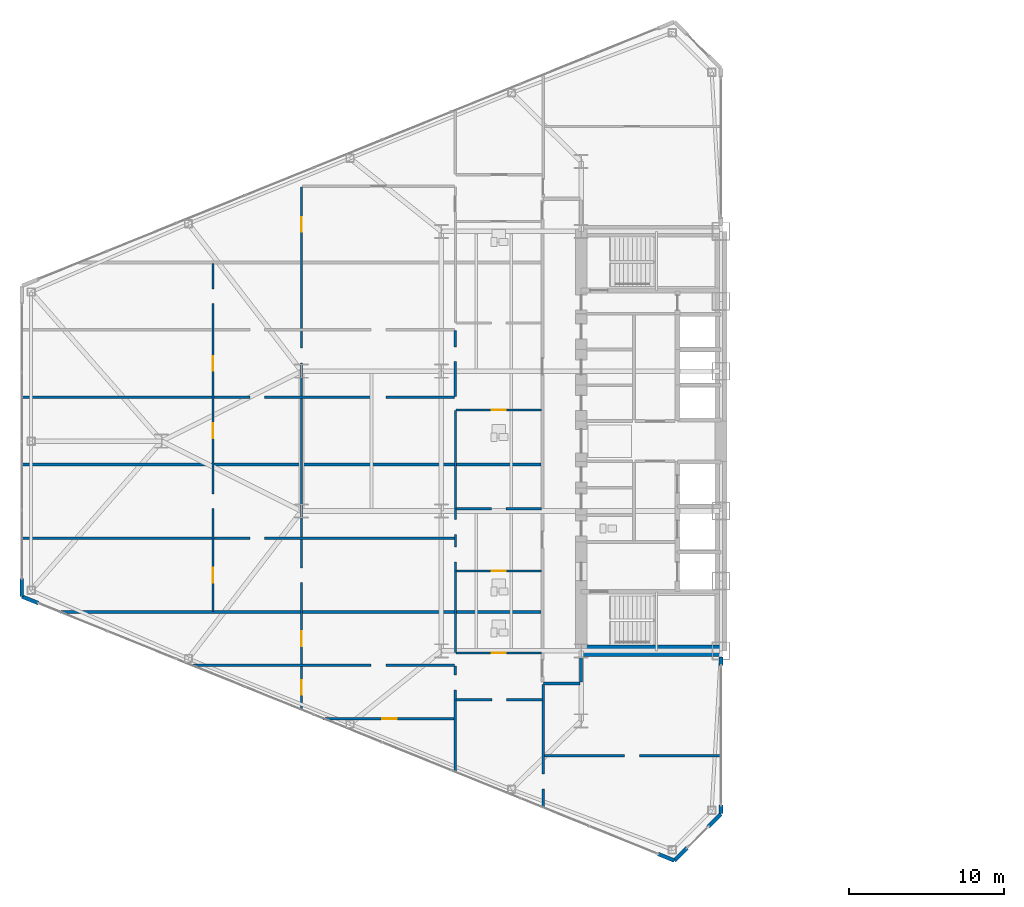
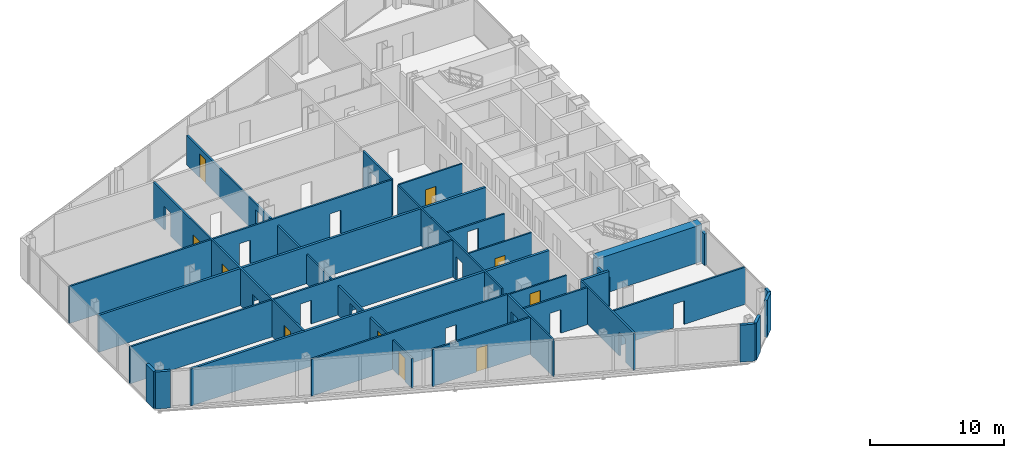
# One storey, part 17 of 25: 28 walls, 10 doors, 26 openings.
"""IFC4 building model written with IfcOpenShell, lengths in metres."""

from ifc_helpers import new_model, si_unit, direction, frame, frame_2d, origin, place, context, subcontext, project, spatial, rectangle, extrude, source, transform, mapped, material, layer, layer_set, type_object, type_shapes, element, fill, save


model = new_model("IFC4")

# Units and contexts
model_context = context("Model", 3, precision=1e-05, world=origin(), true_north=direction((0.0, 1.0)))
body_context = subcontext(model_context, "Body", "Model", "MODEL_VIEW")
ifc_project = project(units=[si_unit("LENGTHUNIT", "METRE"), si_unit("AREAUNIT", "SQUARE_METRE"), si_unit("VOLUMEUNIT", "CUBIC_METRE"), si_unit("PLANEANGLEUNIT", "RADIAN"), si_unit("MASSUNIT", "GRAM", prefix="KILO")], contexts=[model_context])

# Site, building, storey
site_placement = place(None, origin())
site = spatial("IfcSite", under=ifc_project, at=site_placement, CompositionType="ELEMENT")
building_placement = place(site_placement, origin())
building = spatial("IfcBuilding", under=site, at=building_placement, Name="Seokmaru Belvedere", CompositionType="ELEMENT")
storey_placement = place(building_placement, frame((0.0, 0.0, 36.89990234375)))
storey = spatial("IfcBuildingStorey", under=building, at=storey_placement, Name="L09", CompositionType="ELEMENT", Elevation=36.89990234375)

# Wall, opening
ifc_material_1 = material(Name="Fire-Rated Gypsum Shaftwall")
ifc_layer_1 = layer(ifc_material_1, 0.14990234375)
ifc_layer_set_1 = layer_set([ifc_layer_1], Name="Fire-Rated Gypsum Shaftwall")
wall_type_1 = type_object("IfcWallType", Name="Apartment Fire-Acoustic Room Partition 150", PredefinedType="PARTITIONING", material=ifc_layer_set_1)
wall_1_placement = place(storey_placement, frame((-38.89990234375, -20.25, 0.0), z_axis=(0.0, 0.0, 1.0), x_axis=(1.0, 0.0, 0.0)))
wall_1 = element("IfcWall", 1, at=wall_1_placement, inside=storey, type_object=wall_type_1, Name="L09 Interior Partition 001", PredefinedType="PARTITIONING", context=body_context, shape_type="SweptSolid", body=[
    extrude(rectangle(XDim=11.434814453125, YDim=0.14990234375, at=frame_2d((5.71728515625, 0.0))), origin(), (0.0, 0.0, 1.0), 3.380126953125),
])
opening_1_placement = place(wall_1_placement, frame((5.199951171875, 0.0, 0.0)))
element("IfcOpeningElement", 2, at=opening_1_placement, cuts=wall_1, Name="L09 Cased Opening 010", PredefinedType="OPENING", context=body_context, shape_type="SweptSolid", body=[
    extrude(rectangle(XDim=0.949951171875, YDim=2.14990234375, at=frame_2d((0.47509765625, 1.074951171875))), frame((0.0, 0.0849609375, 0.0), z_axis=(0.0, -1.0, 0.0), x_axis=(1.0, 0.0, 0.0)), (0.0, 0.0, 1.0), 0.169921875),
])

# Wall, opening, door
wall_2_placement = place(storey_placement, frame((-53.111083984375, -17.860107421875, 0.0), z_axis=(0.0, 0.0, 1.0), x_axis=(1.0, 0.0, 0.0)))
wall_2 = element("IfcWall", 3, at=wall_2_placement, inside=storey, type_object=wall_type_1, Name="L09 Interior Partition 004", PredefinedType="PARTITIONING", context=body_context, shape_type="SweptSolid", body=[
    extrude(rectangle(XDim=8.461181640625, YDim=0.14990234375, at=frame_2d((4.23046875, 0.0))), origin(), (0.0, 0.0, 1.0), 3.380126953125),
])
opening_2_placement = place(wall_2_placement, frame((3.797607421875, 0.0, 0.0)))
opening_2 = element("IfcOpeningElement", 4, at=opening_2_placement, cuts=wall_2, Name="Opening D05", PredefinedType="OPENING", context=body_context, shape_type="SweptSolid", body=[
    extrude(rectangle(XDim=0.949951171875, YDim=2.14990234375, at=frame_2d((0.47509765625, 1.074951171875))), frame((0.0, 0.0849609375, 0.0), z_axis=(0.0, -1.0, 0.0), x_axis=(1.0, 0.0, 0.0)), (0.0, 0.0, 1.0), 0.169921875),
])
ifc_material_2 = material(Name="Engineered White Oak Timber", Category="wood")
door_type_1 = type_object("IfcDoorType", Name="Apartment Interior Fire-Rated Oak Door 950x2150", OperationType="NOTDEFINED", PredefinedType="DOOR", material=ifc_material_2)
shared_shape_1 = source(origin(), body_context, "Body", "SweptSolid", [
    extrude(rectangle(XDim=0.949951171875, YDim=2.14990234375, at=frame_2d((0.47509765625, 1.074951171875))), frame((0.0, 0.02490234375, 0.0), z_axis=(0.0, -1.0, 0.0), x_axis=(1.0, 0.0, 0.0)), (0.0, 0.0, 1.0), 0.050048828125),
])
type_shapes(door_type_1, [shared_shape_1])
door_1_placement = place(opening_2_placement, origin())
door_1 = element("IfcDoor", 5, at=door_1_placement, inside=storey, type_object=door_type_1, Name="L09 Interior Door 006", OperationType="SINGLE_SWING_RIGHT", OverallHeight=2.14990234375, OverallWidth=0.949951171875, PredefinedType="DOOR", context=body_context, shape_type="MappedRepresentation", body=[
    mapped(shared_shape_1, transform((0.0, 0.0, 0.0), scale=1.0)),
])
fill(opening_2, door_1)

# Wall, opening
wall_3_placement = place(storey_placement, frame((-44.550048828125, -16.639892578125, 0.0), z_axis=(0.0, 0.0, 1.0), x_axis=(1.0, 0.0, 0.0)))
wall_3 = element("IfcWall", 6, at=wall_3_placement, inside=storey, type_object=wall_type_1, Name="L09 Interior Partition 006", PredefinedType="PARTITIONING", context=body_context, shape_type="SweptSolid", body=[
    extrude(rectangle(XDim=5.550048828125, YDim=0.14990234375, at=frame_2d((2.77490234375, 0.0))), origin(), (0.0, 0.0, 1.0), 3.380126953125),
])
opening_3_placement = place(wall_3_placement, frame((2.300048828125, 0.0, 0.0)))
element("IfcOpeningElement", 7, at=opening_3_placement, cuts=wall_3, Name="L09 Cased Opening 003", PredefinedType="OPENING", context=body_context, shape_type="SweptSolid", body=[
    extrude(rectangle(XDim=0.949951171875, YDim=2.14990234375, at=frame_2d((0.47509765625, 1.074951171875))), frame((0.0, 0.0849609375, 0.0), z_axis=(0.0, -1.0, 0.0), x_axis=(1.0, 0.0, 0.0)), (0.0, 0.0, 1.0), 0.169921875),
])

wall_4_placement = place(storey_placement, frame((-61.587890625, -14.429931640625, 0.0), z_axis=(0.0, 0.0, 1.0), x_axis=(1.0, 0.0, 0.0)))
wall_4 = element("IfcWall", 8, at=wall_4_placement, inside=storey, type_object=wall_type_1, Name="L09 Interior Partition 010", PredefinedType="PARTITIONING", context=body_context, shape_type="SweptSolid", body=[
    extrude(rectangle(XDim=16.93798828125, YDim=0.14990234375, at=frame_2d((8.468994140625, 0.0))), origin(), (0.0, 0.0, 1.0), 3.380126953125),
])
opening_4_placement = place(wall_4_placement, frame((11.56298828125, 0.0, 0.0)))
element("IfcOpeningElement", 9, at=opening_4_placement, cuts=wall_4, Name="L09 Cased Opening 007", PredefinedType="OPENING", context=body_context, shape_type="SweptSolid", body=[
    extrude(rectangle(XDim=0.949951171875, YDim=2.14990234375, at=frame_2d((0.47509765625, 1.074951171875))), frame((0.0, 0.0849609375, 0.0), z_axis=(0.0, -1.0, 0.0), x_axis=(1.0, 0.0, 0.0)), (0.0, 0.0, 1.0), 0.169921875),
])

wall_5_placement = place(storey_placement, frame((-72.534912109375, -6.25, 0.0), z_axis=(0.0, 0.0, 1.0), x_axis=(1.0, 0.0, 0.0)))
wall_5 = element("IfcWall", 10, at=wall_5_placement, inside=storey, type_object=wall_type_1, Name="L09 Interior Partition 018", PredefinedType="PARTITIONING", context=body_context, shape_type="SweptSolid", body=[
    extrude(rectangle(XDim=27.885009765625, YDim=0.14990234375, at=frame_2d((13.9423828125, 0.0))), origin(), (0.0, 0.0, 1.0), 3.380126953125),
])
opening_5_placement = place(wall_5_placement, frame((14.7099609375, 0.0, 0.0)))
element("IfcOpeningElement", 11, at=opening_5_placement, cuts=wall_5, Name="L09 Cased Opening 018", PredefinedType="OPENING", context=body_context, shape_type="SweptSolid", body=[
    extrude(rectangle(XDim=0.949951171875, YDim=2.14990234375, at=frame_2d((0.47509765625, 1.074951171875))), frame((0.0, 0.0849609375, 0.0), z_axis=(0.0, -1.0, 0.0), x_axis=(1.0, 0.0, 0.0)), (0.0, 0.0, 1.0), 0.169921875),
])

wall_6_placement = place(storey_placement, frame((-44.550048828125, -4.35009765625, 0.0), z_axis=(0.0, 0.0, 1.0), x_axis=(1.0, 0.0, 0.0)))
wall_6 = element("IfcWall", 12, at=wall_6_placement, inside=storey, type_object=wall_type_1, Name="L09 Interior Partition 019", PredefinedType="PARTITIONING", context=body_context, shape_type="SweptSolid", body=[
    extrude(rectangle(XDim=5.5, YDim=0.14990234375, at=frame_2d((2.75, 0.0))), origin(), (0.0, 0.0, 1.0), 2.68017578125),
])
opening_6_placement = place(wall_6_placement, frame((2.27490234375, 0.0, 0.0)))
element("IfcOpeningElement", 13, at=opening_6_placement, cuts=wall_6, Name="L09 Cased Opening 013", PredefinedType="OPENING", context=body_context, shape_type="SweptSolid", body=[
    extrude(rectangle(XDim=0.949951171875, YDim=2.14990234375, at=frame_2d((0.47509765625, 1.074951171875))), frame((0.0, 0.0849609375, 0.0), z_axis=(0.0, -1.0, 0.0), x_axis=(1.0, 0.0, 0.0)), (0.0, 0.0, 1.0), 0.169921875),
])

# Wall, openings
wall_7_placement = place(storey_placement, frame((-72.534912109375, 2.830078125, 0.0), z_axis=(0.0, 0.0, 1.0), x_axis=(1.0, 0.0, 0.0)))
wall_7 = element("IfcWall", 14, at=wall_7_placement, inside=storey, type_object=wall_type_1, Name="L09 Interior Partition 025", PredefinedType="PARTITIONING", context=body_context, shape_type="SweptSolid", body=[
    extrude(rectangle(XDim=27.885009765625, YDim=0.14990234375, at=frame_2d((13.9423828125, 0.0))), origin(), (0.0, 0.0, 1.0), 3.380126953125),
])
opening_7_placement = place(wall_7_placement, frame((22.510009765625, 0.0, 0.0)))
element("IfcOpeningElement", 15, at=opening_7_placement, cuts=wall_7, Name="L09 Cased Opening 025", PredefinedType="OPENING", context=body_context, shape_type="SweptSolid", body=[
    extrude(rectangle(XDim=0.949951171875, YDim=2.14990234375, at=frame_2d((0.47509765625, 1.074951171875))), frame((0.0, 0.0849609375, 0.0), z_axis=(0.0, -1.0, 0.0), x_axis=(1.0, 0.0, 0.0)), (0.0, 0.0, 1.0), 0.169921875),
])
opening_8_placement = place(wall_7_placement, frame((14.7099609375, 0.0, 0.0)))
element("IfcOpeningElement", 16, at=opening_8_placement, cuts=wall_7, Name="L09 Cased Opening 027", PredefinedType="OPENING", context=body_context, shape_type="SweptSolid", body=[
    extrude(rectangle(XDim=0.949951171875, YDim=2.14990234375, at=frame_2d((0.47509765625, 1.074951171875))), frame((0.0, 0.0849609375, 0.0), z_axis=(0.0, -1.0, 0.0), x_axis=(1.0, 0.0, 0.0)), (0.0, 0.0, 1.0), 0.169921875),
])

# Wall, openings, doors
wall_8_placement = place(storey_placement, frame((-60.199951171875, -10.949951171875, 0.0), z_axis=(0.0, 0.0, 1.0), x_axis=(0.0, 1.0, 0.0)))
wall_8 = element("IfcWall", 17, at=wall_8_placement, inside=storey, type_object=wall_type_1, Name="L09 Interior Partition 045", PredefinedType="PARTITIONING", context=body_context, shape_type="SweptSolid", body=[
    extrude(rectangle(XDim=22.39990234375, YDim=0.14990234375, at=frame_2d((11.199951171875, 0.0))), origin(), (0.0, 0.0, 1.0), 3.380126953125),
])
opening_9_placement = place(wall_8_placement, frame((1.85009765625, 0.0, 0.0)))
opening_9 = element("IfcOpeningElement", 18, at=opening_9_placement, cuts=wall_8, Name="Opening D05", PredefinedType="OPENING", context=body_context, shape_type="SweptSolid", body=[
    extrude(rectangle(XDim=0.949951171875, YDim=2.14990234375, at=frame_2d((0.47509765625, 1.074951171875))), frame((0.0, 0.0849609375, 0.0), z_axis=(0.0, -1.0, 0.0), x_axis=(1.0, 0.0, 0.0)), (0.0, 0.0, 1.0), 0.169921875),
])
opening_10_placement = place(wall_8_placement, frame((6.60009765625, 0.0, 0.0)))
element("IfcOpeningElement", 19, at=opening_10_placement, cuts=wall_8, Name="L09 Cased Opening 019", PredefinedType="OPENING", context=body_context, shape_type="SweptSolid", body=[
    extrude(rectangle(XDim=0.949951171875, YDim=2.14990234375, at=frame_2d((0.47509765625, 1.074951171875))), frame((0.0, 0.0849609375, 0.0), z_axis=(0.0, -1.0, 0.0), x_axis=(1.0, 0.0, 0.0)), (0.0, 0.0, 1.0), 0.169921875),
])
opening_11_placement = place(wall_8_placement, frame((11.1416015625, 0.0, 0.0)))
opening_11 = element("IfcOpeningElement", 20, at=opening_11_placement, cuts=wall_8, Name="Opening D05", PredefinedType="OPENING", context=body_context, shape_type="SweptSolid", body=[
    extrude(rectangle(XDim=0.949951171875, YDim=2.14990234375, at=frame_2d((0.47509765625, 1.074951171875))), frame((0.0, 0.0849609375, 0.0), z_axis=(0.0, -1.0, 0.0), x_axis=(1.0, 0.0, 0.0)), (0.0, 0.0, 1.0), 0.169921875),
])
opening_12_placement = place(wall_8_placement, frame((15.47509765625, 0.0, 0.0)))
opening_12 = element("IfcOpeningElement", 21, at=opening_12_placement, cuts=wall_8, Name="Opening D05", PredefinedType="OPENING", context=body_context, shape_type="SweptSolid", body=[
    extrude(rectangle(XDim=0.949951171875, YDim=2.14990234375, at=frame_2d((0.47509765625, 1.074951171875))), frame((0.0, 0.0849609375, 0.0), z_axis=(0.0, -1.0, 0.0), x_axis=(1.0, 0.0, 0.0)), (0.0, 0.0, 1.0), 0.169921875),
])
opening_13_placement = place(wall_8_placement, frame((19.808349609375, 0.0, 0.0)))
element("IfcOpeningElement", 22, at=opening_13_placement, cuts=wall_8, Name="L09 Cased Opening 031", PredefinedType="OPENING", context=body_context, shape_type="SweptSolid", body=[
    extrude(rectangle(XDim=0.949951171875, YDim=2.14990234375, at=frame_2d((0.47509765625, 1.074951171875))), frame((0.0, 0.0849609375, 0.0), z_axis=(0.0, -1.0, 0.0), x_axis=(1.0, 0.0, 0.0)), (0.0, 0.0, 1.0), 0.169921875),
])
door_2_placement = place(opening_9_placement, origin())
door_2 = element("IfcDoor", 23, at=door_2_placement, inside=storey, type_object=door_type_1, Name="L09 Interior Door 017", OperationType="SINGLE_SWING_RIGHT", OverallHeight=2.14990234375, OverallWidth=0.949951171875, PredefinedType="DOOR", context=body_context, shape_type="MappedRepresentation", body=[
    mapped(shared_shape_1, transform((0.0, 0.0, 0.0), scale=1.0)),
])
fill(opening_9, door_2)
door_3_placement = place(opening_11_placement, origin())
door_3 = element("IfcDoor", 24, at=door_3_placement, inside=storey, type_object=door_type_1, Name="L09 Interior Door 028", OperationType="SINGLE_SWING_RIGHT", OverallHeight=2.14990234375, OverallWidth=0.949951171875, PredefinedType="DOOR", context=body_context, shape_type="MappedRepresentation", body=[
    mapped(shared_shape_1, transform((0.0, 0.0, 0.0), scale=1.0)),
])
fill(opening_11, door_3)
door_4_placement = place(opening_12_placement, origin())
door_4 = element("IfcDoor", 25, at=door_4_placement, inside=storey, type_object=door_type_1, Name="L09 Interior Door 029", OperationType="SINGLE_SWING_RIGHT", OverallHeight=2.14990234375, OverallWidth=0.949951171875, PredefinedType="DOOR", context=body_context, shape_type="MappedRepresentation", body=[
    mapped(shared_shape_1, transform((0.0, 0.0, 0.0), scale=1.0)),
])
fill(opening_12, door_4)

wall_9_placement = place(storey_placement, frame((-54.5, -17.321044921875, 0.0), z_axis=(0.0, 0.0, 1.0), x_axis=(0.0, 1.0, 0.0)))
wall_9 = element("IfcWall", 26, at=wall_9_placement, inside=storey, type_object=wall_type_1, Name="L09 Interior Partition 046", PredefinedType="PARTITIONING", context=body_context, shape_type="SweptSolid", body=[
    extrude(rectangle(XDim=33.6669921875, YDim=0.14990234375, at=frame_2d((16.83349609375, 0.0))), origin(), (0.0, 0.0, 1.0), 2.68017578125),
])
opening_14_placement = place(wall_9_placement, frame((0.98779296875, 0.0, 0.0)))
opening_14 = element("IfcOpeningElement", 27, at=opening_14_placement, cuts=wall_9, Name="Opening D05", PredefinedType="OPENING", context=body_context, shape_type="SweptSolid", body=[
    extrude(rectangle(XDim=0.949951171875, YDim=2.14990234375, at=frame_2d((0.47509765625, 1.074951171875))), frame((0.0, 0.0849609375, 0.0), z_axis=(0.0, -1.0, 0.0), x_axis=(1.0, 0.0, 0.0)), (0.0, 0.0, 1.0), 0.169921875),
])
opening_15_placement = place(wall_9_placement, frame((4.130615234375, 0.0, 0.0)))
opening_15 = element("IfcOpeningElement", 28, at=opening_15_placement, cuts=wall_9, Name="Opening D05", PredefinedType="OPENING", context=body_context, shape_type="SweptSolid", body=[
    extrude(rectangle(XDim=0.949951171875, YDim=2.14990234375, at=frame_2d((0.47509765625, 1.074951171875))), frame((0.0, 0.0849609375, 0.0), z_axis=(0.0, -1.0, 0.0), x_axis=(1.0, 0.0, 0.0)), (0.0, 0.0, 1.0), 0.169921875),
])
opening_16_placement = place(wall_9_placement, frame((8.220947265625, 0.0, 0.0)))
element("IfcOpeningElement", 29, at=opening_16_placement, cuts=wall_9, Name="L09 Cased Opening 016", PredefinedType="OPENING", context=body_context, shape_type="SweptSolid", body=[
    extrude(rectangle(XDim=0.949951171875, YDim=2.14990234375, at=frame_2d((0.47509765625, 1.074951171875))), frame((0.0, 0.0849609375, 0.0), z_axis=(0.0, -1.0, 0.0), x_axis=(1.0, 0.0, 0.0)), (0.0, 0.0, 1.0), 0.169921875),
])
opening_17_placement = place(wall_9_placement, frame((22.356689453125, 0.0, 0.0)))
element("IfcOpeningElement", 30, at=opening_17_placement, cuts=wall_9, Name="L09 Cased Opening 024", PredefinedType="OPENING", context=body_context, shape_type="SweptSolid", body=[
    extrude(rectangle(XDim=0.949951171875, YDim=2.14990234375, at=frame_2d((0.47509765625, 1.074951171875))), frame((0.0, 0.0849609375, 0.0), z_axis=(0.0, -1.0, 0.0), x_axis=(1.0, 0.0, 0.0)), (0.0, 0.0, 1.0), 0.169921875),
])
opening_18_placement = place(wall_9_placement, frame((30.794189453125, 0.0, 0.0)))
opening_18 = element("IfcOpeningElement", 31, at=opening_18_placement, cuts=wall_9, Name="Opening D05", PredefinedType="OPENING", context=body_context, shape_type="SweptSolid", body=[
    extrude(rectangle(XDim=0.949951171875, YDim=2.14990234375, at=frame_2d((0.47509765625, 1.074951171875))), frame((0.0, 0.0849609375, 0.0), z_axis=(0.0, -1.0, 0.0), x_axis=(1.0, 0.0, 0.0)), (0.0, 0.0, 1.0), 0.169921875),
])
door_5_placement = place(opening_14_placement, origin())
door_5 = element("IfcDoor", 32, at=door_5_placement, inside=storey, type_object=door_type_1, Name="L09 Interior Door 005", OperationType="SINGLE_SWING_RIGHT", OverallHeight=2.14990234375, OverallWidth=0.949951171875, PredefinedType="DOOR", context=body_context, shape_type="MappedRepresentation", body=[
    mapped(shared_shape_1, transform((0.0, 0.0, 0.0), scale=1.0)),
])
fill(opening_14, door_5)
door_6_placement = place(opening_15_placement, origin())
door_6 = element("IfcDoor", 33, at=door_6_placement, inside=storey, type_object=door_type_1, Name="L09 Interior Door 008", OperationType="SINGLE_SWING_LEFT", OverallHeight=2.14990234375, OverallWidth=0.949951171875, PredefinedType="DOOR", context=body_context, shape_type="MappedRepresentation", body=[
    mapped(shared_shape_1, transform((0.0, 0.0, 0.0), scale=1.0)),
])
fill(opening_15, door_6)
door_7_placement = place(opening_18_placement, origin())
door_7 = element("IfcDoor", 34, at=door_7_placement, inside=storey, type_object=door_type_1, Name="L09 Interior Door 037", OperationType="SINGLE_SWING_RIGHT", OverallHeight=2.14990234375, OverallWidth=0.949951171875, PredefinedType="DOOR", context=body_context, shape_type="MappedRepresentation", body=[
    mapped(shared_shape_1, transform((0.0, 0.0, 0.0), scale=1.0)),
])
fill(opening_18, door_7)

# Wall, opening
wall_10_placement = place(storey_placement, frame((-44.60009765625, -21.327880859375, 0.0), z_axis=(0.0, 0.0, 1.0), x_axis=(0.0, 1.0, 0.0)))
wall_10 = element("IfcWall", 35, at=wall_10_placement, inside=storey, type_object=wall_type_1, Name="L09 Interior Partition 047", PredefinedType="PARTITIONING", context=body_context, shape_type="SweptSolid", body=[
    extrude(rectangle(XDim=6.846923828125, YDim=0.14990234375, at=frame_2d((3.42333984375, 0.0))), origin(), (0.0, 0.0, 1.0), 3.380126953125),
])
opening_19_placement = place(wall_10_placement, frame((5.31494140625, 0.0, 0.0)))
element("IfcOpeningElement", 36, at=opening_19_placement, cuts=wall_10, Name="L09 Cased Opening 004", PredefinedType="OPENING", context=body_context, shape_type="SweptSolid", body=[
    extrude(rectangle(XDim=0.949951171875, YDim=2.14990234375, at=frame_2d((0.47509765625, 1.074951171875))), frame((0.0, 0.0849609375, 0.0), z_axis=(0.0, -1.0, 0.0), x_axis=(1.0, 0.0, 0.0)), (0.0, 0.0, 1.0), 0.169921875),
])

wall_11_placement = place(storey_placement, frame((-44.60009765625, 2.883056640625, 0.0), z_axis=(0.0, 0.0, 1.0), x_axis=(0.0, 1.0, 0.0)))
wall_11 = element("IfcWall", 37, at=wall_11_placement, inside=storey, type_object=wall_type_1, Name="L09 Interior Partition 049", PredefinedType="PARTITIONING", context=body_context, shape_type="SweptSolid", body=[
    extrude(rectangle(XDim=4.23388671875, YDim=0.14990234375, at=frame_2d((2.116943359375, 0.0))), origin(), (0.0, 0.0, 1.0), 3.380126953125),
])
opening_20_placement = place(wall_11_placement, frame((2.23486328125, 0.0, 0.0)))
element("IfcOpeningElement", 38, at=opening_20_placement, cuts=wall_11, Name="L09 Cased Opening 023", PredefinedType="OPENING", context=body_context, shape_type="SweptSolid", body=[
    extrude(rectangle(XDim=0.949951171875, YDim=2.14990234375, at=frame_2d((0.47509765625, 1.074951171875))), frame((0.0, 0.0849609375, 0.0), z_axis=(0.0, -1.0, 0.0), x_axis=(1.0, 0.0, 0.0)), (0.0, 0.0, 1.0), 0.169921875),
])

wall_12_placement = place(storey_placement, frame((-38.949951171875, -23.614990234375, 0.0), z_axis=(0.0, 0.0, 1.0), x_axis=(0.0, 1.0, 0.0)))
wall_12 = element("IfcWall", 39, at=wall_12_placement, inside=storey, type_object=wall_type_1, Name="L09 Interior Partition 053", PredefinedType="PARTITIONING", context=body_context, shape_type="SweptSolid", body=[
    extrude(rectangle(XDim=7.965087890625, YDim=0.14990234375, at=frame_2d((3.982421875, 0.0))), origin(), (0.0, 0.0, 1.0), 3.380126953125),
])
opening_21_placement = place(wall_12_placement, frame((1.22509765625, 0.0, 0.0)))
element("IfcOpeningElement", 40, at=opening_21_placement, cuts=wall_12, Name="L09 Cased Opening 009", PredefinedType="OPENING", context=body_context, shape_type="SweptSolid", body=[
    extrude(rectangle(XDim=0.949951171875, YDim=2.14990234375, at=frame_2d((0.47509765625, 1.074951171875))), frame((0.0, 0.0849609375, 0.0), z_axis=(0.0, -1.0, 0.0), x_axis=(1.0, 0.0, 0.0)), (0.0, 0.0, 1.0), 0.169921875),
])

# Walls
ifc_layer_2 = layer(ifc_material_1, 0.199951171875)
ifc_layer_set_2 = layer_set([ifc_layer_2], Name="Fire-Rated Gypsum Shaftwall")
wall_type_2 = type_object("IfcWallType", Name="Inter-Tenancy Fire Compartment Partition 200", PredefinedType="PARTITIONING", material=ifc_layer_set_2)
wall_13_placement = place(storey_placement, frame((-38.9150390625, -15.60009765625, 0.0), z_axis=(0.0, 0.0, 1.0), x_axis=(1.0, 0.0, 0.0)))
element("IfcWall", 41, at=wall_13_placement, inside=storey, type_object=wall_type_2, Name="L09 Interior Partition 007", PredefinedType="PARTITIONING", context=body_context, shape_type="SweptSolid", body=[
    extrude(rectangle(XDim=2.330078125, YDim=0.199951171875, at=frame_2d((1.1650390625, 0.0))), origin(), (0.0, 0.0, 1.0), 3.380126953125),
])
wall_14_placement = place(storey_placement, frame((-70.04296875, -11.0, 0.0), z_axis=(0.0, 0.0, 1.0), x_axis=(1.0, 0.0, 0.0)))
element("IfcWall", 42, at=wall_14_placement, inside=storey, type_object=wall_type_2, Name="L09 Interior Partition 014", PredefinedType="PARTITIONING", context=body_context, shape_type="SweptSolid", body=[
    extrude(rectangle(XDim=30.962890625, YDim=0.199951171875, at=frame_2d((15.4814453125, 0.0))), origin(), (0.0, 0.0, 1.0), 3.380126953125),
])
wall_15_placement = place(storey_placement, frame((-72.5048828125, -1.5, 0.0), z_axis=(0.0, 0.0, 1.0), x_axis=(1.0, 0.0, 0.0)))
element("IfcWall", 43, at=wall_15_placement, inside=storey, type_object=wall_type_2, Name="L09 Interior Partition 022", PredefinedType="PARTITIONING", context=body_context, shape_type="SweptSolid", body=[
    extrude(rectangle(XDim=33.4248046875, YDim=0.199951171875, at=frame_2d((16.71240234375, 0.0))), origin(), (0.0, 0.0, 1.0), 3.380126953125),
])
wall_16_placement = place(storey_placement, frame((-36.5, -15.514892578125, 0.0), z_axis=(0.0, 0.0, 1.0), x_axis=(0.0, 1.0, 0.0)))
element("IfcWall", 44, at=wall_16_placement, inside=storey, type_object=wall_type_2, Name="L09 Interior Partition 055", PredefinedType="PARTITIONING", context=body_context, shape_type="SweptSolid", body=[
    extrude(rectangle(XDim=1.635009765625, YDim=0.199951171875, at=frame_2d((0.8173828125, 0.0))), origin(), (0.0, 0.0, 1.0), 2.68017578125),
])
ifc_material_3 = material(Name="Concrete C60 (60 MPa)", Category="concrete")
ifc_layer_3 = layer(ifc_material_3, 0.75)
ifc_layer_set_3 = layer_set([ifc_layer_3], Name="Concrete C60 (60 MPa)")
wall_type_3 = type_object("IfcWallType", Name="Lower Tower Reinforced Concrete Core Wall 750", PredefinedType="SHEAR", material=ifc_layer_set_3)
wall_17_placement = place(storey_placement, frame((-36.5, -13.5, 0.0), z_axis=(0.0, 0.0, 1.0), x_axis=(1.0, 0.0, 0.0)))
element("IfcWall", 45, at=wall_17_placement, inside=storey, type_object=wall_type_3, Name="L09 West South Core Wall", PredefinedType="SHEAR", context=body_context, shape_type="SweptSolid", body=[
    extrude(rectangle(XDim=9.0, YDim=0.75, at=frame_2d((4.5, 0.0))), origin(), (0.0, 0.0, 1.0), 3.380126953125),
])

# Wall, opening, door
ifc_layer_4 = layer(ifc_material_1, 0.1298828125)
ifc_layer_set_4 = layer_set([ifc_layer_4], Name="Fire-Rated Gypsum Shaftwall")
wall_type_4 = type_object("IfcWallType", Name="Moisture-Resistant Fire-Rated Bathroom Partition 130", PredefinedType="PARTITIONING", material=ifc_layer_set_4)
wall_18_placement = place(storey_placement, frame((-44.550048828125, -13.639892578125, 0.0), z_axis=(0.0, 0.0, 1.0), x_axis=(1.0, 0.0, 0.0)))
wall_18 = element("IfcWall", 46, at=wall_18_placement, inside=storey, type_object=wall_type_4, Name="L09 Interior Partition 012", PredefinedType="PARTITIONING", context=body_context, shape_type="SweptSolid", body=[
    extrude(rectangle(XDim=5.5, YDim=0.1298828125, at=frame_2d((2.75, 0.0))), origin(), (0.0, 0.0, 1.0), 2.68017578125),
])
opening_22_placement = place(wall_18_placement, frame((2.31005859375, 0.0, 0.0)))
opening_22 = element("IfcOpeningElement", 47, at=opening_22_placement, cuts=wall_18, Name="Opening D06", PredefinedType="OPENING", context=body_context, shape_type="SweptSolid", body=[
    extrude(rectangle(XDim=0.8798828125, YDim=2.10009765625, at=frame_2d((0.43994140625, 1.050048828125))), frame((0.0, 0.074951171875, 0.0), z_axis=(0.0, -1.0, 0.0), x_axis=(1.0, 0.0, 0.0)), (0.0, 0.0, 1.0), 0.14990234375),
])
door_type_2 = type_object("IfcDoorType", Name="Bathroom and Restroom Fire-Rated Door 880x2100", OperationType="NOTDEFINED", PredefinedType="DOOR", material=ifc_material_2)
shared_shape_2 = source(origin(), body_context, "Body", "SweptSolid", [
    extrude(rectangle(XDim=0.8798828125, YDim=2.10009765625, at=frame_2d((0.43994140625, 1.050048828125))), frame((0.0, 0.02490234375, 0.0), z_axis=(0.0, -1.0, 0.0), x_axis=(1.0, 0.0, 0.0)), (0.0, 0.0, 1.0), 0.050048828125),
])
type_shapes(door_type_2, [shared_shape_2])
door_8_placement = place(opening_22_placement, origin())
door_8 = element("IfcDoor", 48, at=door_8_placement, inside=storey, type_object=door_type_2, Name="L09 Interior Door 002", OperationType="SINGLE_SWING_LEFT", OverallHeight=2.10009765625, OverallWidth=0.8798828125, PredefinedType="DOOR", context=body_context, shape_type="MappedRepresentation", body=[
    mapped(shared_shape_2, transform((0.0, 0.0, 0.0), scale=1.0)),
])
fill(opening_22, door_8)

wall_19_placement = place(storey_placement, frame((-44.550048828125, -8.360107421875, 0.0), z_axis=(0.0, 0.0, 1.0), x_axis=(1.0, 0.0, 0.0)))
wall_19 = element("IfcWall", 49, at=wall_19_placement, inside=storey, type_object=wall_type_4, Name="L09 Interior Partition 016", PredefinedType="PARTITIONING", context=body_context, shape_type="SweptSolid", body=[
    extrude(rectangle(XDim=5.5, YDim=0.1298828125, at=frame_2d((2.75, 0.0))), origin(), (0.0, 0.0, 1.0), 3.380126953125),
])
opening_23_placement = place(wall_19_placement, frame((2.31005859375, 0.0, 0.0)))
opening_23 = element("IfcOpeningElement", 50, at=opening_23_placement, cuts=wall_19, Name="Opening D06", PredefinedType="OPENING", context=body_context, shape_type="SweptSolid", body=[
    extrude(rectangle(XDim=0.8798828125, YDim=2.10009765625, at=frame_2d((0.43994140625, 1.050048828125))), frame((0.0, 0.074951171875, 0.0), z_axis=(0.0, -1.0, 0.0), x_axis=(1.0, 0.0, 0.0)), (0.0, 0.0, 1.0), 0.14990234375),
])
door_9_placement = place(opening_23_placement, origin())
door_9 = element("IfcDoor", 51, at=door_9_placement, inside=storey, type_object=door_type_2, Name="L09 Interior Door 012", OperationType="SINGLE_SWING_LEFT", OverallHeight=2.10009765625, OverallWidth=0.8798828125, PredefinedType="DOOR", context=body_context, shape_type="MappedRepresentation", body=[
    mapped(shared_shape_2, transform((0.0, 0.0, 0.0), scale=1.0)),
])
fill(opening_23, door_9)

wall_20_placement = place(storey_placement, frame((-44.550048828125, 2.010009765625, 0.0), z_axis=(0.0, 0.0, 1.0), x_axis=(1.0, 0.0, 0.0)))
wall_20 = element("IfcWall", 52, at=wall_20_placement, inside=storey, type_object=wall_type_4, Name="L09 Interior Partition 024", PredefinedType="PARTITIONING", context=body_context, shape_type="SweptSolid", body=[
    extrude(rectangle(XDim=5.5, YDim=0.1298828125, at=frame_2d((2.75, 0.0))), origin(), (0.0, 0.0, 1.0), 3.380126953125),
])
opening_24_placement = place(wall_20_placement, frame((2.31005859375, 0.0, 0.0)))
opening_24 = element("IfcOpeningElement", 53, at=opening_24_placement, cuts=wall_20, Name="Opening D06", PredefinedType="OPENING", context=body_context, shape_type="SweptSolid", body=[
    extrude(rectangle(XDim=0.8798828125, YDim=2.10009765625, at=frame_2d((0.43994140625, 1.050048828125))), frame((0.0, 0.074951171875, 0.0), z_axis=(0.0, -1.0, 0.0), x_axis=(1.0, 0.0, 0.0)), (0.0, 0.0, 1.0), 0.14990234375),
])
door_10_placement = place(opening_24_placement, origin())
door_10 = element("IfcDoor", 54, at=door_10_placement, inside=storey, type_object=door_type_2, Name="L09 Interior Door 021", OperationType="SINGLE_SWING_LEFT", OverallHeight=2.10009765625, OverallWidth=0.8798828125, PredefinedType="DOOR", context=body_context, shape_type="MappedRepresentation", body=[
    mapped(shared_shape_2, transform((0.0, 0.0, 0.0), scale=1.0)),
])
fill(opening_24, door_10)

# Wall, openings
wall_21_placement = place(storey_placement, frame((-44.60009765625, -13.594970703125, 0.0), z_axis=(0.0, 0.0, 1.0), x_axis=(0.0, 1.0, 0.0)))
wall_21 = element("IfcWall", 55, at=wall_21_placement, inside=storey, type_object=wall_type_4, Name="L09 Interior Partition 048", PredefinedType="PARTITIONING", context=body_context, shape_type="SweptSolid", body=[
    extrude(rectangle(XDim=15.552978515625, YDim=0.1298828125, at=frame_2d((7.7763671875, 0.0))), origin(), (0.0, 0.0, 1.0), 3.380126953125),
])
opening_25_placement = place(wall_21_placement, frame((5.8173828125, 0.0, 0.0)))
element("IfcOpeningElement", 56, at=opening_25_placement, cuts=wall_21, Name="L09 Cased Opening 014", PredefinedType="OPENING", context=body_context, shape_type="SweptSolid", body=[
    extrude(rectangle(XDim=0.949951171875, YDim=2.14990234375, at=frame_2d((0.47509765625, 1.074951171875))), frame((0.0, 0.074951171875, 0.0), z_axis=(0.0, -1.0, 0.0), x_axis=(1.0, 0.0, 0.0)), (0.0, 0.0, 1.0), 0.14990234375),
])
opening_26_placement = place(wall_21_placement, frame((7.60205078125, 0.0, 0.0)))
element("IfcOpeningElement", 57, at=opening_26_placement, cuts=wall_21, Name="L09 Cased Opening 015", PredefinedType="OPENING", context=body_context, shape_type="SweptSolid", body=[
    extrude(rectangle(XDim=0.949951171875, YDim=2.14990234375, at=frame_2d((0.47509765625, 1.074951171875))), frame((0.0, 0.074951171875, 0.0), z_axis=(0.0, -1.0, 0.0), x_axis=(1.0, 0.0, 0.0)), (0.0, 0.0, 1.0), 0.14990234375),
])

# Walls
ifc_material_4 = material(Name="Anodised Bronze Aluminium", Category="aluminium")
ifc_layer_5 = layer(ifc_material_4, 0.239990234375)
ifc_layer_set_5 = layer_set([ifc_layer_5], Name="Anodised Bronze Aluminium")
wall_type_5 = type_object("IfcWallType", Name="Tower Corner Spandrel Closure Wall 240", PredefinedType="SOLIDWALL", material=ifc_layer_set_5)
wall_22_placement = place(storey_placement, frame((-27.5, -23.97998046875, 0.0), z_axis=(0.0, 0.0, 1.0), x_axis=(0.0, 1.0, 0.0)))
element("IfcWall", 58, at=wall_22_placement, inside=storey, type_object=wall_type_5, Name="L09 W Spine Closure Pier 1A", PredefinedType="SOLIDWALL", context=body_context, shape_type="SweptSolid", body=[
    extrude(rectangle(XDim=0.550048828125, YDim=0.239990234375, at=frame_2d((0.27490234375, 0.0))), origin(), (0.0, 0.0, 1.0), 3.380126953125),
])
wall_23_placement = place(storey_placement, frame((-27.5, -14.429931640625, 0.0), z_axis=(0.0, 0.0, 1.0), x_axis=(0.0, 1.0, 0.0)))
element("IfcWall", 59, at=wall_23_placement, inside=storey, type_object=wall_type_5, Name="L09 W Spine Closure Pier 1B", PredefinedType="SOLIDWALL", context=body_context, shape_type="SweptSolid", body=[
    extrude(rectangle(XDim=0.550048828125, YDim=0.239990234375, at=frame_2d((0.27490234375, 0.0))), origin(), (0.0, 0.0, 1.0), 2.880126953125),
])
for number, where, z_axis, x_axis, name in (
    (60, (-72.5, -8.85009765625, 0.0), (0.0, 0.0, 1.0), (0.0, -1.0, 0.0), "L09 W Corner Closure Pier 4B"),
    (61, (-72.49072265625, -10.00390625, 0.0), (0.0, 0.0, 1.0), (0.927007103665, -0.375043770452, 0.0), "L09 W Corner Closure Pier 5A"),
    (62, (-31.56591796875, -26.568603515625, 0.0), (0.0, 0.0, 1.0), (0.927007103665, -0.375043770452, 0.0), "L09 W Corner Closure Pier 5B"),
):
    element("IfcWall", number, at=place(storey_placement, frame(where, z_axis=z_axis, x_axis=x_axis)), inside=storey, type_object=wall_type_5, Name=name, PredefinedType="SOLIDWALL", context=body_context, shape_type="SweptSolid", body=[
        extrude(rectangle(XDim=1.139892578125, YDim=0.239990234375, at=frame_2d((0.56982421875, 0.0))), origin(), (0.0, 0.0, 1.0), 3.380126953125),
    ])
for number, where, z_axis, x_axis, name in (
    (63, (-30.492919921875, -26.992919921875, 0.0), (0.0, 0.0, 1.0), (0.707106781187, 0.707106781187, 0.0), "L09 W Corner Closure Pier 6A"),
    (64, (-28.313232421875, -24.813232421875, 0.0), (0.0, 0.0, 1.0), (0.707106781187, 0.707106781187, 0.0), "L09 W Corner Closure Pier 6B"),
):
    element("IfcWall", number, at=place(storey_placement, frame(where, z_axis=z_axis, x_axis=x_axis)), inside=storey, type_object=wall_type_5, Name=name, PredefinedType="SOLIDWALL", context=body_context, shape_type="SweptSolid", body=[
        extrude(rectangle(XDim=1.14013671875, YDim=0.239990234375, at=frame_2d((0.570068359375, 0.0))), origin(), (0.0, 0.0, 1.0), 3.380126953125),
    ])

save(model, "model.ifc")
